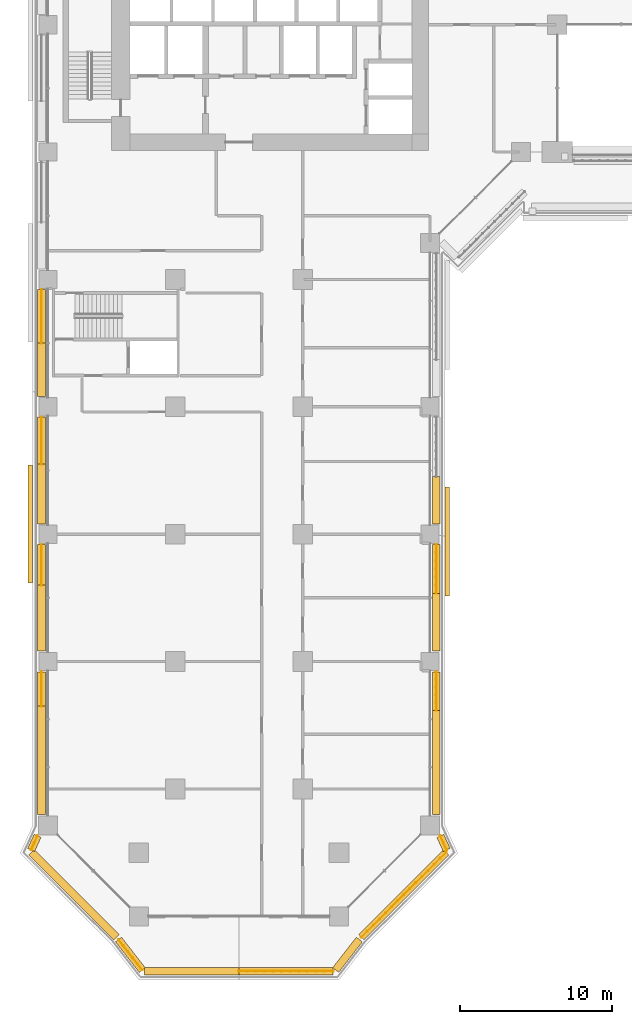
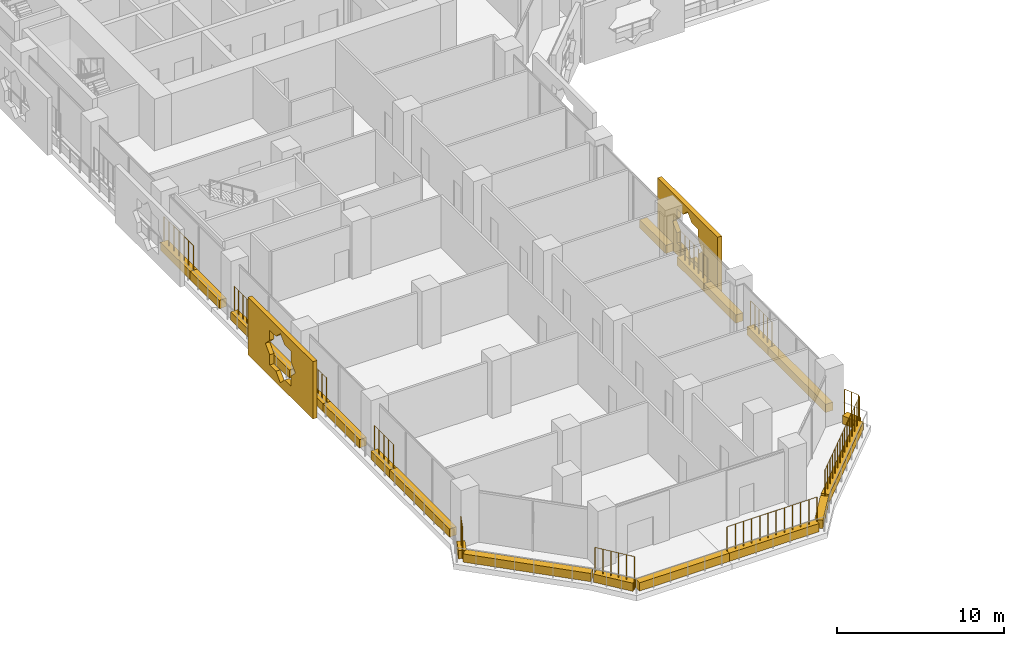
# One storey, part 19 of 28: 23 coverings, 11 railings.
"""IFC4 building model written with IfcOpenShell, lengths in metres."""

import ifcopenshell
import ifcopenshell.guid

model = None  # the IFC model being written
_history = None  # IfcOwnerHistory: only IFC2X3 demands one
_inside = {}  # id of a spatial element -> (the spatial element, [elements in it])
_under = {}  # id of a project, library or spatial element -> (it, [spatial elements below it])
_declared = {}  # id of a project -> (the project, [libraries it declares])
_typed = {}  # id of a type object -> (the type object, [elements of that type])
_made_of = {}  # id of a material, layer set ... -> (it, [elements and type objects made of it])


def new_model(schema):
    """Start an empty IFC model of exactly this schema.

    Asked for "IFC4X3", IfcOpenShell would pick the latest addendum, in which some entities
    have other attributes; the version numbers below select the first issue.
    IFC2X3 requires an IfcOwnerHistory on every rooted entity: one is made here for all.
    """
    global model, _history
    if schema == "IFC4X3":
        model = ifcopenshell.file(schema_version=(4, 3, 0, 0))
    else:
        model = ifcopenshell.file(schema=schema)
    _inside.clear()
    _under.clear()
    _declared.clear()
    _typed.clear()
    _made_of.clear()
    _history = None
    if model.schema == "IFC2X3":
        org = make("IfcOrganization", Name="unknown")
        user = make(
            "IfcPersonAndOrganization",
            ThePerson=make("IfcPerson", FamilyName="unknown"),
            TheOrganization=org,
        )
        app = make(
            "IfcApplication",
            ApplicationDeveloper=org,
            Version="unknown",
            ApplicationFullName="unknown",
            ApplicationIdentifier="unknown",
        )
        _history = make(
            "IfcOwnerHistory",
            OwningUser=user,
            OwningApplication=app,
            ChangeAction="ADDED",
            CreationDate=0,
        )
    return model


def make(cls, **values):
    """One entity of the class cls with the attributes given. An attribute that is None is left unset."""
    return model.create_entity(
        cls, **{name: value for name, value in values.items() if value is not None}
    )


def rooted(cls, **values):
    """An entity with a GlobalId (a new one), such as an element, a storey or a relation."""
    return make(cls, GlobalId=ifcopenshell.guid.new(), OwnerHistory=_history, **values)


def si_unit(unit_type, name, prefix=None):
    """IfcSIUnit, for example si_unit("LENGTHUNIT", "METRE", prefix="MILLI")."""
    return make("IfcSIUnit", UnitType=unit_type, Prefix=prefix, Name=name)


def assignment(units):
    """IfcUnitAssignment: the units of a project."""
    return None if units is None else make("IfcUnitAssignment", Units=units)


def point(xyz):
    """IfcCartesianPoint."""
    return None if xyz is None else make("IfcCartesianPoint", Coordinates=xyz)


def direction(xyz):
    """IfcDirection."""
    return None if xyz is None else make("IfcDirection", DirectionRatios=xyz)


def frame(location, z_axis=None, x_axis=None):
    """IfcAxis2Placement3D, a coordinate frame: its origin and axes. An axis left out is left unset."""
    return make(
        "IfcAxis2Placement3D",
        Location=point(location),
        Axis=direction(z_axis),
        RefDirection=direction(x_axis),
    )


def frame_2d(location, x_axis=None):
    """IfcAxis2Placement2D, a coordinate frame in the plane: its origin and x axis."""
    return make(
        "IfcAxis2Placement2D", Location=point(location), RefDirection=direction(x_axis)
    )


def origin():
    """The frame at (0, 0, 0) with its axes left unset."""
    return frame((0.0, 0.0, 0.0))


def origin_2d():
    """The frame at (0, 0) in the plane with its x axis left unset."""
    return frame_2d((0.0, 0.0))


def place(relative_to, where):
    """IfcLocalPlacement: puts the frame where relative to a parent placement (None: the world)."""
    return make(
        "IfcLocalPlacement", PlacementRelTo=relative_to, RelativePlacement=where
    )


def context(
    kind, dimensions, precision=None, world=None, true_north=None, identifier=None
):
    """IfcGeometricRepresentationContext, for example the 3D "Model" context."""
    return make(
        "IfcGeometricRepresentationContext",
        ContextIdentifier=identifier,
        ContextType=kind,
        CoordinateSpaceDimension=dimensions,
        Precision=precision,
        WorldCoordinateSystem=world,
        TrueNorth=true_north,
    )


def subcontext(parent, identifier, kind, view, scale=None):
    """IfcGeometricRepresentationSubContext, for example "Body" below "Model"."""
    return make(
        "IfcGeometricRepresentationSubContext",
        ContextIdentifier=identifier,
        ContextType=kind,
        ParentContext=parent,
        TargetScale=scale,
        TargetView=view,
    )


def project(units=None, contexts=None):
    """IfcProject with its units and contexts."""
    return rooted(
        "IfcProject",
        Name="project",
        RepresentationContexts=contexts,
        UnitsInContext=assignment(units),
    )


def spatial(cls, under=None, at=None, **own):
    """A site, building, storey or space (cls), placed at a placement, below another one or the project."""
    s = rooted(cls, ObjectPlacement=at, **own)
    if under is not None:
        _under.setdefault(under.id(), (under, []))[1].append(s)
    return s


def polyline(points):
    """IfcPolyline through the points."""
    return make("IfcPolyline", Points=[point(p) for p in points])


def profile(cls, at=None, kind="AREA", **sizes):
    """A parametric profile (cls). Its sizes go by their IFC names, for example OverallWidth=200.0."""
    return make(cls, ProfileType=kind, Position=at, **sizes)


def rectangle(**sizes):
    """IfcRectangleProfileDef."""
    return profile("IfcRectangleProfileDef", **sizes)


def circle(**sizes):
    """IfcCircleProfileDef."""
    return profile("IfcCircleProfileDef", **sizes)


def outline(outer, holes=None, kind="AREA"):
    """IfcArbitraryClosedProfileDef: a profile drawn as a closed curve; with holes, ...WithVoids."""
    if holes is None:
        return make("IfcArbitraryClosedProfileDef", ProfileType=kind, OuterCurve=outer)
    return make(
        "IfcArbitraryProfileDefWithVoids",
        ProfileType=kind,
        OuterCurve=outer,
        InnerCurves=holes,
    )


def extrude(swept, where, along, depth):
    """IfcExtrudedAreaSolid: the profile swept, set in the frame where, extruded along a direction by depth."""
    return make(
        "IfcExtrudedAreaSolid",
        SweptArea=swept,
        Position=where,
        ExtrudedDirection=direction(along),
        Depth=depth,
    )


def shape(context_of_items, identifier, shape_type, items):
    """IfcShapeRepresentation: the items that make up one representation, for example the "Body"."""
    return make(
        "IfcShapeRepresentation",
        ContextOfItems=context_of_items,
        RepresentationIdentifier=identifier,
        RepresentationType=shape_type,
        Items=items,
    )


def material(Name=None, Category=None):
    """IfcMaterial."""
    return make("IfcMaterial", Name=Name, Category=Category)


def material_profile(
    of_material, cross_section, Name=None, Category=None, Priority=None
):
    """IfcMaterialProfile: a cross section and its material."""
    return make(
        "IfcMaterialProfile",
        Name=Name,
        Material=of_material,
        Profile=cross_section,
        Priority=Priority,
        Category=Category,
    )


def profile_set(profiles, Name=None, composite=None):
    """IfcMaterialProfileSet."""
    return make(
        "IfcMaterialProfileSet",
        Name=Name,
        MaterialProfiles=profiles,
        CompositeProfile=composite,
    )


def made_of(thing, what):
    """Note that an element or type object is made of a material, layer set ...; save() writes the relation."""
    if what is not None:
        _made_of.setdefault(what.id(), (what, []))[1].append(thing)
    return thing


def type_object(cls, material=None, **own):
    """A type object (cls), such as IfcWallType, which elements share."""
    return made_of(rooted(cls, **own), material)


def element(
    cls,
    number,
    at=None,
    inside=None,
    cuts=None,
    type_object=None,
    material=None,
    context=None,
    identifier="Body",
    shape_type=None,
    held_by="IfcProductDefinitionShape",
    body=None,
    shapes=None,
    **own,
):
    """One element of the class cls, such as IfcWall. Its Tag is "e" and its number.

    at: its placement. inside: the storey or other place that contains it. cuts: it is an
    opening in that element (IfcRelVoidsElement). A single representation is given by context,
    identifier, shape_type and body (its items); several are given by shapes. held_by: the class
    of the entity that holds the representations. save() writes the other relations.
    """
    e = rooted(cls, Tag="e%d" % number, ObjectPlacement=at, **own)
    if body is not None:
        shapes = [shape(context, identifier, shape_type, body)]
    if shapes is not None:
        e.Representation = make(held_by, Representations=shapes)
    if inside is not None:
        _inside.setdefault(inside.id(), (inside, []))[1].append(e)
    if cuts is not None:
        rooted(
            "IfcRelVoidsElement", RelatingBuildingElement=cuts, RelatedOpeningElement=e
        )
    if type_object is not None:
        _typed.setdefault(type_object.id(), (type_object, []))[1].append(e)
    return made_of(e, material)


def aggregate(whole, parts):
    """IfcRelAggregates: a whole, such as a stair, and the parts it consists of."""
    return rooted("IfcRelAggregates", RelatingObject=whole, RelatedObjects=parts)


def save(model, path):
    """Write the relations noted so far, then the file.

    IfcRelAggregates (storeys below a building ...), IfcRelContainedInSpatialStructure (elements
    in a storey), IfcRelDefinesByType, IfcRelAssociatesMaterial and IfcRelDeclares: one each for
    every whole, place, type object, material and project.
    """
    for whole, parts in _under.values():
        aggregate(whole, parts)
    for where, things in _inside.values():
        rooted(
            "IfcRelContainedInSpatialStructure",
            RelatedElements=things,
            RelatingStructure=where,
        )
    for kind, things in _typed.values():
        rooted("IfcRelDefinesByType", RelatedObjects=things, RelatingType=kind)
    for what, things in _made_of.values():
        rooted("IfcRelAssociatesMaterial", RelatedObjects=things, RelatingMaterial=what)
    for by, libraries in _declared.values():
        rooted("IfcRelDeclares", RelatingContext=by, RelatedDefinitions=libraries)
    model.write(path)


model = new_model("IFC4")

# Units and contexts
model_context = context("Model", 3, precision=1e-05, world=origin(), true_north=direction((0.0, 1.0)))
body_context = subcontext(model_context, "Body", "Model", "MODEL_VIEW")
ifc_project = project(units=[si_unit("LENGTHUNIT", "METRE"), si_unit("AREAUNIT", "SQUARE_METRE"), si_unit("VOLUMEUNIT", "CUBIC_METRE"), si_unit("PLANEANGLEUNIT", "RADIAN"), si_unit("MASSUNIT", "GRAM", prefix="KILO")], contexts=[model_context])

# Site, building, storey
site_placement = place(None, origin())
site = spatial("IfcSite", under=ifc_project, at=site_placement, CompositionType="ELEMENT")
building_placement = place(site_placement, origin())
building = spatial("IfcBuilding", under=site, at=building_placement, Name="Kawkab Arch Medical Tower", CompositionType="ELEMENT")
storey_placement = place(building_placement, frame((0.0, 0.0, 47.60009765625)))
storey = spatial("IfcBuildingStorey", under=building, at=storey_placement, Name="L10", CompositionType="ELEMENT", Elevation=47.60009765625)

# Coverings
ifc_material_1 = material(Name="Bronze anodised aluminium mashrabiya panel, eight-point star pattern", Category="aluminium")
ifc_material_profile_1 = material_profile(ifc_material_1, outline(polyline([(-3.60009765625, -2.10009765625), (3.60009765625, -2.10009765625), (3.60009765625, 2.10009765625), (-3.60009765625, 2.10009765625), (-3.60009765625, -2.10009765625)]), holes=[polyline([(1.800048828125, 0.0), (1.272705078125, 0.527099609375), (1.272705078125, 1.272705078125), (0.527099609375, 1.272705078125), (0.0, 1.800048828125), (-0.527099609375, 1.272705078125), (-1.272705078125, 1.272705078125), (-1.272705078125, 0.527099609375), (-1.800048828125, 0.0), (-1.272705078125, -0.527099609375), (-1.272705078125, -1.272705078125), (-0.527099609375, -1.272705078125), (0.0, -1.800048828125), (0.527099609375, -1.272705078125), (1.272705078125, -1.272705078125), (1.272705078125, -0.527099609375), (1.800048828125, 0.0)])]), Name="Mashrabiya panel 7200x4200")
ifc_profile_set_1 = profile_set([ifc_material_profile_1], Name="Bronze anodised aluminium mashrabiya panel, eight-point star pattern")
covering_type_1 = type_object("IfcCoveringType", Name="Mashrabiya panel 7200 x 4200", PredefinedType="USERDEFINED", material=ifc_profile_set_1)
covering_1_placement = place(storey_placement, frame((26.199951171875, -50.892333984375, 1.699951171875), z_axis=(1.0, 0.0, 0.0), x_axis=(0.0, 1.0, 0.0)))
element("IfcCovering", 1, at=covering_1_placement, inside=storey, type_object=covering_type_1, Name="Mashrabiya panel L10.LOG-01-02.15", ObjectType="SCREEN", PredefinedType="USERDEFINED", context=body_context, shape_type="SweptSolid", body=[
    extrude(outline(polyline([(-3.60009765625, -2.10009765625), (3.60009765625, -2.10009765625), (3.60009765625, 2.10009765625), (-3.60009765625, 2.10009765625), (-3.60009765625, -2.10009765625)]), holes=[polyline([(1.800048828125, 0.0), (1.272705078125, 0.527099609375), (1.272705078125, 1.272705078125), (0.527099609375, 1.272705078125), (0.0, 1.800048828125), (-0.527099609375, 1.272705078125), (-1.272705078125, 1.272705078125), (-1.272705078125, 0.527099609375), (-1.800048828125, 0.0), (-1.272705078125, -0.527099609375), (-1.272705078125, -1.272705078125), (-0.527099609375, -1.272705078125), (0.0, -1.800048828125), (0.527099609375, -1.272705078125), (1.272705078125, -1.272705078125), (1.272705078125, -0.527099609375), (1.800048828125, 0.0)])]), origin(), (0.0, 0.0, 1.0), 0.300048828125),
])
ifc_material_2 = material(Name="Bronze anodised aluminium mashrabiya panel, eight-point star pattern", Category="aluminium")
ifc_material_profile_2 = material_profile(ifc_material_2, outline(polyline([(-3.89990234375, -2.10009765625), (3.89990234375, -2.10009765625), (3.89990234375, 2.10009765625), (-3.89990234375, 2.10009765625), (-3.89990234375, -2.10009765625)]), holes=[polyline([(1.800048828125, 0.0), (1.272705078125, 0.527099609375), (1.272705078125, 1.272705078125), (0.527099609375, 1.272705078125), (0.0, 1.800048828125), (-0.527099609375, 1.272705078125), (-1.272705078125, 1.272705078125), (-1.272705078125, 0.527099609375), (-1.800048828125, 0.0), (-1.272705078125, -0.527099609375), (-1.272705078125, -1.272705078125), (-0.527099609375, -1.272705078125), (0.0, -1.800048828125), (0.527099609375, -1.272705078125), (1.272705078125, -1.272705078125), (1.272705078125, -0.527099609375), (1.800048828125, 0.0)])]), Name="Mashrabiya panel 7800x4200")
ifc_profile_set_2 = profile_set([ifc_material_profile_2], Name="Bronze anodised aluminium mashrabiya panel, eight-point star pattern")
covering_type_2 = type_object("IfcCoveringType", Name="Mashrabiya panel 7800 x 4200", PredefinedType="USERDEFINED", material=ifc_profile_set_2)
covering_2_placement = place(storey_placement, frame((-1.0, -49.725830078125, 1.699951171875), z_axis=(-1.0, 0.0, 0.0), x_axis=(0.0, -1.0, 0.0)))
element("IfcCovering", 2, at=covering_2_placement, inside=storey, type_object=covering_type_2, Name="Mashrabiya panel L10.LOG-01-02.1", ObjectType="SCREEN", PredefinedType="USERDEFINED", context=body_context, shape_type="SweptSolid", body=[
    extrude(outline(polyline([(-3.89990234375, -2.10009765625), (3.89990234375, -2.10009765625), (3.89990234375, 2.10009765625), (-3.89990234375, 2.10009765625), (-3.89990234375, -2.10009765625)]), holes=[polyline([(1.800048828125, 0.0), (1.272705078125, 0.527099609375), (1.272705078125, 1.272705078125), (0.527099609375, 1.272705078125), (0.0, 1.800048828125), (-0.527099609375, 1.272705078125), (-1.272705078125, 1.272705078125), (-1.272705078125, 0.527099609375), (-1.800048828125, 0.0), (-1.272705078125, -0.527099609375), (-1.272705078125, -1.272705078125), (-0.527099609375, -1.272705078125), (0.0, -1.800048828125), (0.527099609375, -1.272705078125), (1.272705078125, -1.272705078125), (1.272705078125, -0.527099609375), (1.800048828125, 0.0)])]), origin(), (0.0, 0.0, 1.0), 0.300048828125),
])
ifc_material_3 = material(Name="Planting soil in a precast trough", Category="concrete")
ifc_material_profile_3 = material_profile(ifc_material_3, rectangle(XDim=0.5, YDim=0.60009765625, at=origin_2d()), Name="Trough 500x600")
ifc_profile_set_3 = profile_set([ifc_material_profile_3], Name="Planting soil in a precast trough")
covering_type_3 = type_object("IfcCoveringType", Name="Planter trough 500 x 600", PredefinedType="USERDEFINED", material=ifc_profile_set_3)
covering_3_placement = place(storey_placement, frame((26.27294921875, -71.383056640625, 0.2998046875), z_axis=(-0.707106781187, -0.707106781187, 0.0), x_axis=(0.707106781187, -0.707106781187, 0.0)))
element("IfcCovering", 3, at=covering_3_placement, inside=storey, type_object=covering_type_3, Name="Planter L10.LOG-01-02.1", ObjectType="PLANTER", PredefinedType="USERDEFINED", context=body_context, shape_type="SweptSolid", body=[
    extrude(rectangle(XDim=0.5, YDim=0.60009765625, at=origin_2d()), origin(), (0.0, 0.0, 1.0), 7.91943359375),
])
covering_4_placement = place(storey_placement, frame((20.541015625, -77.132080078125, 0.2998046875), z_axis=(-0.61404021143, -0.789274742246, 0.0), x_axis=(0.789274742246, -0.61404021143, 0.0)))
element("IfcCovering", 4, at=covering_4_placement, inside=storey, type_object=covering_type_3, Name="Planter L10.LOG-01-02.2", ObjectType="PLANTER", PredefinedType="USERDEFINED", context=body_context, shape_type="SweptSolid", body=[
    extrude(rectangle(XDim=0.5, YDim=0.60009765625, at=origin_2d()), origin(), (0.0, 0.0, 1.0), 2.54541015625),
])
covering_5_placement = place(storey_placement, frame((18.81591796875, -79.219970703125, 0.2998046875), z_axis=(-1.0, 0.0, 0.0), x_axis=(0.0, -1.0, 0.0)))
element("IfcCovering", 5, at=covering_5_placement, inside=storey, type_object=covering_type_3, Name="Planter L10.LOG-01-02.3", ObjectType="PLANTER", PredefinedType="USERDEFINED", context=body_context, shape_type="SweptSolid", body=[
    extrude(rectangle(XDim=0.5, YDim=0.60009765625, at=origin_2d()), origin(), (0.0, 0.0, 1.0), 6.2158203125),
])
covering_6_placement = place(storey_placement, frame((12.60009765625, -79.219970703125, 0.2998046875), z_axis=(-1.0, 0.0, 0.0), x_axis=(0.0, -1.0, 0.0)))
element("IfcCovering", 6, at=covering_6_placement, inside=storey, type_object=covering_type_3, Name="Planter L10.LOG-01-02.4", ObjectType="PLANTER", PredefinedType="USERDEFINED", context=body_context, shape_type="SweptSolid", body=[
    extrude(rectangle(XDim=0.5, YDim=0.60009765625, at=origin_2d()), origin(), (0.0, 0.0, 1.0), 6.216064453125),
])
covering_7_placement = place(storey_placement, frame((6.221923828125, -79.14111328125, 0.2998046875), z_axis=(-0.61404021143, 0.789274742246, 0.0), x_axis=(-0.789274742246, -0.61404021143, 0.0)))
element("IfcCovering", 7, at=covering_7_placement, inside=storey, type_object=covering_type_3, Name="Planter L10.LOG-01-02.5", ObjectType="PLANTER", PredefinedType="USERDEFINED", context=body_context, shape_type="SweptSolid", body=[
    extrude(rectangle(XDim=0.5, YDim=0.60009765625, at=origin_2d()), origin(), (0.0, 0.0, 1.0), 2.54541015625),
])
covering_8_placement = place(storey_placement, frame((4.527099609375, -76.98291015625, 0.2998046875), z_axis=(-0.70712219479, 0.707091367247, 0.0), x_axis=(-0.707091367247, -0.70712219479, 0.0)))
element("IfcCovering", 8, at=covering_8_placement, inside=storey, type_object=covering_type_3, Name="Planter L10.LOG-01-02.6", ObjectType="PLANTER", PredefinedType="USERDEFINED", context=body_context, shape_type="SweptSolid", body=[
    extrude(rectangle(XDim=0.5, YDim=0.60009765625, at=origin_2d()), origin(), (0.0, 0.0, 1.0), 7.919677734375),
])
covering_9_placement = place(storey_placement, frame((-1.10205078125, -71.220947265625, 0.2998046875), z_axis=(0.415162454874, 0.909747292419, 0.0), x_axis=(-0.909747292419, 0.415162454874, 0.0)))
element("IfcCovering", 9, at=covering_9_placement, inside=storey, type_object=covering_type_3, Name="Planter L10.LOG-01-02.7", ObjectType="PLANTER", PredefinedType="USERDEFINED", context=body_context, shape_type="SweptSolid", body=[
    extrude(rectangle(XDim=0.5, YDim=0.60009765625, at=origin_2d()), origin(), (0.0, 0.0, 1.0), 1.014404296875),
])
covering_10_placement = place(storey_placement, frame((-0.419921875, -68.89501953125, 0.2998046875), z_axis=(0.0, 1.0, 0.0), x_axis=(-1.0, 0.0, 0.0)))
element("IfcCovering", 10, at=covering_10_placement, inside=storey, type_object=covering_type_3, Name="Planter L10.LOG-01-02.8", ObjectType="PLANTER", PredefinedType="USERDEFINED", context=body_context, shape_type="SweptSolid", body=[
    extrude(rectangle(XDim=0.5, YDim=0.60009765625, at=origin_2d()), origin(), (0.0, 0.0, 1.0), 7.151123046875),
])
covering_11_placement = place(storey_placement, frame((-0.419921875, -61.743896484375, 0.2998046875), z_axis=(0.0, 1.0, 0.0), x_axis=(-1.0, 0.0, 0.0)))
element("IfcCovering", 11, at=covering_11_placement, inside=storey, type_object=covering_type_3, Name="Planter L10.LOG-01-02.9", ObjectType="PLANTER", PredefinedType="USERDEFINED", context=body_context, shape_type="SweptSolid", body=[
    extrude(rectangle(XDim=0.5, YDim=0.60009765625, at=origin_2d()), origin(), (0.0, 0.0, 1.0), 2.263916015625),
])
covering_12_placement = place(storey_placement, frame((-0.419921875, -58.1201171875, 0.2998046875), z_axis=(0.0, 1.0, 0.0), x_axis=(-1.0, 0.0, 0.0)))
element("IfcCovering", 12, at=covering_12_placement, inside=storey, type_object=covering_type_3, Name="Planter L10.LOG-01-02.10", ObjectType="PLANTER", PredefinedType="USERDEFINED", context=body_context, shape_type="SweptSolid", body=[
    extrude(rectangle(XDim=0.5, YDim=0.60009765625, at=origin_2d()), origin(), (0.0, 0.0, 1.0), 4.357177734375),
])
covering_13_placement = place(storey_placement, frame((-0.419921875, -53.762939453125, 0.2998046875), z_axis=(0.0, 1.0, 0.0), x_axis=(-1.0, 0.0, 0.0)))
element("IfcCovering", 13, at=covering_13_placement, inside=storey, type_object=covering_type_3, Name="Planter L10.LOG-01-02.11", ObjectType="PLANTER", PredefinedType="USERDEFINED", context=body_context, shape_type="SweptSolid", body=[
    extrude(rectangle(XDim=0.5, YDim=0.60009765625, at=origin_2d()), origin(), (0.0, 0.0, 1.0), 2.682861328125),
])
covering_14_placement = place(storey_placement, frame((-0.419921875, -49.719970703125, 0.2998046875), z_axis=(0.0, 1.0, 0.0), x_axis=(-1.0, 0.0, 0.0)))
element("IfcCovering", 14, at=covering_14_placement, inside=storey, type_object=covering_type_3, Name="Planter L10.LOG-01-02.12", ObjectType="PLANTER", PredefinedType="USERDEFINED", context=body_context, shape_type="SweptSolid", body=[
    extrude(rectangle(XDim=0.5, YDim=0.60009765625, at=origin_2d()), origin(), (0.0, 0.0, 1.0), 3.93896484375),
])
covering_15_placement = place(storey_placement, frame((-0.419921875, -45.781005859375, 0.2998046875), z_axis=(0.0, 1.0, 0.0), x_axis=(-1.0, 0.0, 0.0)))
element("IfcCovering", 15, at=covering_15_placement, inside=storey, type_object=covering_type_3, Name="Planter L10.LOG-01-02.13", ObjectType="PLANTER", PredefinedType="USERDEFINED", context=body_context, shape_type="SweptSolid", body=[
    extrude(rectangle(XDim=0.5, YDim=0.60009765625, at=origin_2d()), origin(), (0.0, 0.0, 1.0), 3.10107421875),
])
for number, where, z_axis, x_axis, name in (
    (16, (-0.419921875, -41.320068359375, 0.2998046875), (0.0, 1.0, 0.0), (-1.0, 0.0, 0.0), "Planter L10.LOG-01-02.14"),
    (17, (-0.419921875, -37.800048828125, 0.2998046875), (0.0, 1.0, 0.0), (-1.0, 0.0, 0.0), "Planter L10.LOG-01-02.15"),
):
    element("IfcCovering", number, at=place(storey_placement, frame(where, z_axis=z_axis, x_axis=x_axis)), inside=storey, type_object=covering_type_3, Name=name, ObjectType="PLANTER", PredefinedType="USERDEFINED", context=body_context, shape_type="SweptSolid", body=[
        extrude(rectangle(XDim=0.5, YDim=0.60009765625, at=origin_2d()), origin(), (0.0, 0.0, 1.0), 3.52001953125),
    ])
covering_16_placement = place(storey_placement, frame((25.6201171875, -46.60107421875, 0.2998046875), z_axis=(0.0, -1.0, 0.0), x_axis=(1.0, 0.0, 0.0)))
element("IfcCovering", 18, at=covering_16_placement, inside=storey, type_object=covering_type_3, Name="Planter L10.LOG-01-02.52", ObjectType="PLANTER", PredefinedType="USERDEFINED", context=body_context, shape_type="SweptSolid", body=[
    extrude(rectangle(XDim=0.5, YDim=0.60009765625, at=origin_2d()), origin(), (0.0, 0.0, 1.0), 3.118896484375),
])
covering_17_placement = place(storey_placement, frame((25.6201171875, -51.080078125, 0.2998046875), z_axis=(0.0, -1.0, 0.0), x_axis=(1.0, 0.0, 0.0)))
element("IfcCovering", 19, at=covering_17_placement, inside=storey, type_object=covering_type_3, Name="Planter L10.LOG-01-02.53", ObjectType="PLANTER", PredefinedType="USERDEFINED", context=body_context, shape_type="SweptSolid", body=[
    extrude(rectangle(XDim=0.5, YDim=0.60009765625, at=origin_2d()), origin(), (0.0, 0.0, 1.0), 3.22900390625),
])
covering_18_placement = place(storey_placement, frame((25.6201171875, -54.30908203125, 0.2998046875), z_axis=(0.0, -1.0, 0.0), x_axis=(1.0, 0.0, 0.0)))
element("IfcCovering", 20, at=covering_18_placement, inside=storey, type_object=covering_type_3, Name="Planter L10.LOG-01-02.54", ObjectType="PLANTER", PredefinedType="USERDEFINED", context=body_context, shape_type="SweptSolid", body=[
    extrude(rectangle(XDim=0.5, YDim=0.60009765625, at=origin_2d()), origin(), (0.0, 0.0, 1.0), 3.81103515625),
])
covering_19_placement = place(storey_placement, frame((25.6201171875, -59.47998046875, 0.2998046875), z_axis=(0.0, -1.0, 0.0), x_axis=(1.0, 0.0, 0.0)))
element("IfcCovering", 21, at=covering_19_placement, inside=storey, type_object=covering_type_3, Name="Planter L10.LOG-01-02.55", ObjectType="PLANTER", PredefinedType="USERDEFINED", context=body_context, shape_type="SweptSolid", body=[
    extrude(rectangle(XDim=0.5, YDim=0.60009765625, at=origin_2d()), origin(), (0.0, 0.0, 1.0), 2.5380859375),
])
covering_20_placement = place(storey_placement, frame((25.6201171875, -62.01806640625, 0.2998046875), z_axis=(0.0, -1.0, 0.0), x_axis=(1.0, 0.0, 0.0)))
element("IfcCovering", 22, at=covering_20_placement, inside=storey, type_object=covering_type_3, Name="Planter L10.LOG-01-02.56", ObjectType="PLANTER", PredefinedType="USERDEFINED", context=body_context, shape_type="SweptSolid", body=[
    extrude(rectangle(XDim=0.5, YDim=0.60009765625, at=origin_2d()), origin(), (0.0, 0.0, 1.0), 6.876953125),
])
covering_21_placement = place(storey_placement, frame((25.881103515625, -70.298095703125, 0.2998046875), z_axis=(0.414963233652, -0.909838180512, 0.0), x_axis=(0.909838180512, 0.414963233652, 0.0)))
element("IfcCovering", 23, at=covering_21_placement, inside=storey, type_object=covering_type_3, Name="Planter L10.LOG-01-02.57", ObjectType="PLANTER", PredefinedType="USERDEFINED", context=body_context, shape_type="SweptSolid", body=[
    extrude(rectangle(XDim=0.5, YDim=0.60009765625, at=origin_2d()), origin(), (0.0, 0.0, 1.0), 1.014404296875),
])

# Railings
ifc_material_4 = material(Name="Bronze anodised aluminium trellis for climbing plants", Category="aluminium")
railing_type = type_object("IfcRailingType", Name="Planting trellis 2400", PredefinedType="USERDEFINED", material=ifc_material_4)
railing_1_placement = place(storey_placement, frame((26.27294921875, -71.383056640625, 0.0)))
element("IfcRailing", 24, at=railing_1_placement, inside=storey, type_object=railing_type, Name="Planting trellis L10.LOG-01-02.1", ObjectType="TRELLIS", PredefinedType="USERDEFINED", context=body_context, shape_type="SweptSolid", body=[
    extrude(circle(Radius=0.01513671875, at=origin_2d()), frame((0.0, 0.0, 2.384765625), z_axis=(-0.707106781187, -0.707106781187, 0.0), x_axis=(0.707106781187, -0.707106781187, 0.0)), (0.0, 0.0, 1.0), 7.91943359375),
    extrude(circle(Radius=0.030029296875, at=origin_2d()), origin(), (0.0, 0.0, 1.0), 2.369873046875),
    extrude(circle(Radius=0.030029296875, at=origin_2d()), frame((-0.39990234375, -0.39990234375, 0.0)), (0.0, 0.0, 1.0), 2.369873046875),
    extrude(circle(Radius=0.030029296875, at=origin_2d()), frame((-0.800048828125, -0.800048828125, 0.0)), (0.0, 0.0, 1.0), 2.369873046875),
    extrude(circle(Radius=0.030029296875, at=origin_2d()), frame((-1.199951171875, -1.199951171875, 0.0)), (0.0, 0.0, 1.0), 2.369873046875),
    extrude(circle(Radius=0.030029296875, at=origin_2d()), frame((-1.599853515625, -1.599853515625, 0.0)), (0.0, 0.0, 1.0), 2.369873046875),
    extrude(circle(Radius=0.030029296875, at=origin_2d()), frame((-2.0, -2.0, 0.0)), (0.0, 0.0, 1.0), 2.369873046875),
    extrude(circle(Radius=0.030029296875, at=origin_2d()), frame((-2.39990234375, -2.39990234375, 0.0)), (0.0, 0.0, 1.0), 2.369873046875),
    extrude(circle(Radius=0.030029296875, at=origin_2d()), frame((-2.7998046875, -2.7998046875, 0.0)), (0.0, 0.0, 1.0), 2.369873046875),
    extrude(circle(Radius=0.030029296875, at=origin_2d()), frame((-3.199951171875, -3.199951171875, 0.0)), (0.0, 0.0, 1.0), 2.369873046875),
    extrude(circle(Radius=0.030029296875, at=origin_2d()), frame((-3.599853515625, -3.599853515625, 0.0)), (0.0, 0.0, 1.0), 2.369873046875),
    extrude(circle(Radius=0.030029296875, at=origin_2d()), frame((-4.0, -4.0, 0.0)), (0.0, 0.0, 1.0), 2.369873046875),
    extrude(circle(Radius=0.030029296875, at=origin_2d()), frame((-4.39990234375, -4.39990234375, 0.0)), (0.0, 0.0, 1.0), 2.369873046875),
    extrude(circle(Radius=0.030029296875, at=origin_2d()), frame((-4.7998046875, -4.7998046875, 0.0)), (0.0, 0.0, 1.0), 2.369873046875),
    extrude(circle(Radius=0.030029296875, at=origin_2d()), frame((-5.199951171875, -5.199951171875, 0.0)), (0.0, 0.0, 1.0), 2.369873046875),
    extrude(circle(Radius=0.030029296875, at=origin_2d()), frame((-5.599853515625, -5.599853515625, 0.0)), (0.0, 0.0, 1.0), 2.369873046875),
])
railing_2_placement = place(storey_placement, frame((18.81591796875, -79.219970703125, 0.0)))
element("IfcRailing", 25, at=railing_2_placement, inside=storey, type_object=railing_type, Name="Planting trellis L10.LOG-01-02.3", ObjectType="TRELLIS", PredefinedType="USERDEFINED", context=body_context, shape_type="SweptSolid", body=[
    extrude(circle(Radius=0.01513671875, at=origin_2d()), frame((0.0, 0.0, 2.384765625), z_axis=(-1.0, 0.0, 0.0), x_axis=(0.0, -1.0, 0.0)), (0.0, 0.0, 1.0), 6.2158203125),
    extrude(circle(Radius=0.030029296875, at=origin_2d()), origin(), (0.0, 0.0, 1.0), 2.369873046875),
    extrude(circle(Radius=0.030029296875, at=origin_2d()), frame((-0.565185546875, 0.0, 0.0)), (0.0, 0.0, 1.0), 2.369873046875),
    extrude(circle(Radius=0.030029296875, at=origin_2d()), frame((-1.130126953125, 0.0, 0.0)), (0.0, 0.0, 1.0), 2.369873046875),
    extrude(circle(Radius=0.030029296875, at=origin_2d()), frame((-1.6953125, 0.0, 0.0)), (0.0, 0.0, 1.0), 2.369873046875),
    extrude(circle(Radius=0.030029296875, at=origin_2d()), frame((-2.26025390625, 0.0, 0.0)), (0.0, 0.0, 1.0), 2.369873046875),
    extrude(circle(Radius=0.030029296875, at=origin_2d()), frame((-2.825439453125, 0.0, 0.0)), (0.0, 0.0, 1.0), 2.369873046875),
    extrude(circle(Radius=0.030029296875, at=origin_2d()), frame((-3.390380859375, 0.0, 0.0)), (0.0, 0.0, 1.0), 2.369873046875),
    extrude(circle(Radius=0.030029296875, at=origin_2d()), frame((-3.95556640625, 0.0, 0.0)), (0.0, 0.0, 1.0), 2.369873046875),
    extrude(circle(Radius=0.030029296875, at=origin_2d()), frame((-4.5205078125, 0.0, 0.0)), (0.0, 0.0, 1.0), 2.369873046875),
    extrude(circle(Radius=0.030029296875, at=origin_2d()), frame((-5.085693359375, 0.0, 0.0)), (0.0, 0.0, 1.0), 2.369873046875),
    extrude(circle(Radius=0.030029296875, at=origin_2d()), frame((-5.650634765625, 0.0, 0.0)), (0.0, 0.0, 1.0), 2.369873046875),
    extrude(circle(Radius=0.030029296875, at=origin_2d()), frame((-6.2158203125, 0.0, 0.0)), (0.0, 0.0, 1.0), 2.369873046875),
])
railing_3_placement = place(storey_placement, frame((6.221923828125, -79.14111328125, 0.0)))
element("IfcRailing", 26, at=railing_3_placement, inside=storey, type_object=railing_type, Name="Planting trellis L10.LOG-01-02.5", ObjectType="TRELLIS", PredefinedType="USERDEFINED", context=body_context, shape_type="SweptSolid", body=[
    extrude(circle(Radius=0.01513671875, at=origin_2d()), frame((0.0, 0.0, 2.384765625), z_axis=(-0.61404021143, 0.789274742246, 0.0), x_axis=(-0.789274742246, -0.61404021143, 0.0)), (0.0, 0.0, 1.0), 2.54541015625),
    extrude(circle(Radius=0.030029296875, at=origin_2d()), origin(), (0.0, 0.0, 1.0), 2.369873046875),
    extrude(circle(Radius=0.030029296875, at=origin_2d()), frame((-0.3125, 0.40185546875, 0.0)), (0.0, 0.0, 1.0), 2.369873046875),
    extrude(circle(Radius=0.030029296875, at=origin_2d()), frame((-0.625244140625, 0.8037109375, 0.0)), (0.0, 0.0, 1.0), 2.369873046875),
    extrude(circle(Radius=0.030029296875, at=origin_2d()), frame((-0.937744140625, 1.205322265625, 0.0)), (0.0, 0.0, 1.0), 2.369873046875),
    extrude(circle(Radius=0.030029296875, at=origin_2d()), frame((-1.25048828125, 1.607177734375, 0.0)), (0.0, 0.0, 1.0), 2.369873046875),
    extrude(circle(Radius=0.030029296875, at=origin_2d()), frame((-1.56298828125, 2.009033203125, 0.0)), (0.0, 0.0, 1.0), 2.369873046875),
])
railing_4_placement = place(storey_placement, frame((-1.10205078125, -71.220947265625, 0.0)))
element("IfcRailing", 27, at=railing_4_placement, inside=storey, type_object=railing_type, Name="Planting trellis L10.LOG-01-02.7", ObjectType="TRELLIS", PredefinedType="USERDEFINED", context=body_context, shape_type="SweptSolid", body=[
    extrude(circle(Radius=0.01513671875, at=origin_2d()), frame((0.0, 0.0, 2.384765625), z_axis=(0.415162454874, 0.909747292419, 0.0), x_axis=(-0.909747292419, 0.415162454874, 0.0)), (0.0, 0.0, 1.0), 1.014404296875),
    extrude(circle(Radius=0.030029296875, at=origin_2d()), origin(), (0.0, 0.0, 1.0), 2.369873046875),
    extrude(circle(Radius=0.030029296875, at=origin_2d()), frame((0.21044921875, 0.46142578125, 0.0)), (0.0, 0.0, 1.0), 2.369873046875),
    extrude(circle(Radius=0.030029296875, at=origin_2d()), frame((0.421142578125, 0.9228515625, 0.0)), (0.0, 0.0, 1.0), 2.369873046875),
])
railing_5_placement = place(storey_placement, frame((-0.419921875, -61.743896484375, 0.0)))
element("IfcRailing", 28, at=railing_5_placement, inside=storey, type_object=railing_type, Name="Planting trellis L10.LOG-01-02.9", ObjectType="TRELLIS", PredefinedType="USERDEFINED", context=body_context, shape_type="SweptSolid", body=[
    extrude(circle(Radius=0.01513671875, at=origin_2d()), frame((0.0, 0.0, 2.384765625), z_axis=(0.0, 1.0, 0.0), x_axis=(-1.0, 0.0, 0.0)), (0.0, 0.0, 1.0), 2.263916015625),
    extrude(circle(Radius=0.030029296875, at=origin_2d()), origin(), (0.0, 0.0, 1.0), 2.369873046875),
    extrude(circle(Radius=0.030029296875, at=origin_2d()), frame((0.0, 0.56591796875, 0.0)), (0.0, 0.0, 1.0), 2.369873046875),
    extrude(circle(Radius=0.030029296875, at=origin_2d()), frame((0.0, 1.1318359375, 0.0)), (0.0, 0.0, 1.0), 2.369873046875),
    extrude(circle(Radius=0.030029296875, at=origin_2d()), frame((0.0, 1.697998046875, 0.0)), (0.0, 0.0, 1.0), 2.369873046875),
    extrude(circle(Radius=0.030029296875, at=origin_2d()), frame((0.0, 2.263916015625, 0.0)), (0.0, 0.0, 1.0), 2.369873046875),
])
railing_6_placement = place(storey_placement, frame((-0.419921875, -53.762939453125, 0.0)))
element("IfcRailing", 29, at=railing_6_placement, inside=storey, type_object=railing_type, Name="Planting trellis L10.LOG-01-02.11", ObjectType="TRELLIS", PredefinedType="USERDEFINED", context=body_context, shape_type="SweptSolid", body=[
    extrude(circle(Radius=0.01513671875, at=origin_2d()), frame((0.0, 0.0, 2.384765625), z_axis=(0.0, 1.0, 0.0), x_axis=(-1.0, 0.0, 0.0)), (0.0, 0.0, 1.0), 2.682861328125),
    extrude(circle(Radius=0.030029296875, at=origin_2d()), origin(), (0.0, 0.0, 1.0), 2.369873046875),
    extrude(circle(Radius=0.030029296875, at=origin_2d()), frame((0.0, 0.53662109375, 0.0)), (0.0, 0.0, 1.0), 2.369873046875),
    extrude(circle(Radius=0.030029296875, at=origin_2d()), frame((0.0, 1.0732421875, 0.0)), (0.0, 0.0, 1.0), 2.369873046875),
    extrude(circle(Radius=0.030029296875, at=origin_2d()), frame((0.0, 1.609619140625, 0.0)), (0.0, 0.0, 1.0), 2.369873046875),
    extrude(circle(Radius=0.030029296875, at=origin_2d()), frame((0.0, 2.146240234375, 0.0)), (0.0, 0.0, 1.0), 2.369873046875),
    extrude(circle(Radius=0.030029296875, at=origin_2d()), frame((0.0, 2.682861328125, 0.0)), (0.0, 0.0, 1.0), 2.369873046875),
])
railing_7_placement = place(storey_placement, frame((-0.419921875, -45.781005859375, 0.0)))
element("IfcRailing", 30, at=railing_7_placement, inside=storey, type_object=railing_type, Name="Planting trellis L10.LOG-01-02.13", ObjectType="TRELLIS", PredefinedType="USERDEFINED", context=body_context, shape_type="SweptSolid", body=[
    extrude(circle(Radius=0.01513671875, at=origin_2d()), frame((0.0, 0.0, 2.384765625), z_axis=(0.0, 1.0, 0.0), x_axis=(-1.0, 0.0, 0.0)), (0.0, 0.0, 1.0), 3.10107421875),
    extrude(circle(Radius=0.030029296875, at=origin_2d()), origin(), (0.0, 0.0, 1.0), 2.369873046875),
    extrude(circle(Radius=0.030029296875, at=origin_2d()), frame((0.0, 0.516845703125, 0.0)), (0.0, 0.0, 1.0), 2.369873046875),
    extrude(circle(Radius=0.030029296875, at=origin_2d()), frame((0.0, 1.03369140625, 0.0)), (0.0, 0.0, 1.0), 2.369873046875),
    extrude(circle(Radius=0.030029296875, at=origin_2d()), frame((0.0, 1.550537109375, 0.0)), (0.0, 0.0, 1.0), 2.369873046875),
    extrude(circle(Radius=0.030029296875, at=origin_2d()), frame((0.0, 2.0673828125, 0.0)), (0.0, 0.0, 1.0), 2.369873046875),
    extrude(circle(Radius=0.030029296875, at=origin_2d()), frame((0.0, 2.584228515625, 0.0)), (0.0, 0.0, 1.0), 2.369873046875),
    extrude(circle(Radius=0.030029296875, at=origin_2d()), frame((0.0, 3.10107421875, 0.0)), (0.0, 0.0, 1.0), 2.369873046875),
])
railing_8_placement = place(storey_placement, frame((-0.419921875, -37.800048828125, 0.0)))
element("IfcRailing", 31, at=railing_8_placement, inside=storey, type_object=railing_type, Name="Planting trellis L10.LOG-01-02.15", ObjectType="TRELLIS", PredefinedType="USERDEFINED", context=body_context, shape_type="SweptSolid", body=[
    extrude(circle(Radius=0.01513671875, at=origin_2d()), frame((0.0, 0.0, 2.384765625), z_axis=(0.0, 1.0, 0.0), x_axis=(-1.0, 0.0, 0.0)), (0.0, 0.0, 1.0), 3.52001953125),
    extrude(circle(Radius=0.030029296875, at=origin_2d()), origin(), (0.0, 0.0, 1.0), 2.369873046875),
    extrude(circle(Radius=0.030029296875, at=origin_2d()), frame((0.0, 0.586669921875, 0.0)), (0.0, 0.0, 1.0), 2.369873046875),
    extrude(circle(Radius=0.030029296875, at=origin_2d()), frame((0.0, 1.17333984375, 0.0)), (0.0, 0.0, 1.0), 2.369873046875),
    extrude(circle(Radius=0.030029296875, at=origin_2d()), frame((0.0, 1.760009765625, 0.0)), (0.0, 0.0, 1.0), 2.369873046875),
    extrude(circle(Radius=0.030029296875, at=origin_2d()), frame((0.0, 2.3466796875, 0.0)), (0.0, 0.0, 1.0), 2.369873046875),
    extrude(circle(Radius=0.030029296875, at=origin_2d()), frame((0.0, 2.933349609375, 0.0)), (0.0, 0.0, 1.0), 2.369873046875),
    extrude(circle(Radius=0.030029296875, at=origin_2d()), frame((0.0, 3.52001953125, 0.0)), (0.0, 0.0, 1.0), 2.369873046875),
])
railing_9_placement = place(storey_placement, frame((25.6201171875, -51.080078125, 0.0)))
element("IfcRailing", 32, at=railing_9_placement, inside=storey, type_object=railing_type, Name="Planting trellis L10.LOG-01-02.53", ObjectType="TRELLIS", PredefinedType="USERDEFINED", context=body_context, shape_type="SweptSolid", body=[
    extrude(circle(Radius=0.01513671875, at=origin_2d()), frame((0.0, 0.0, 2.384765625), z_axis=(0.0, -1.0, 0.0), x_axis=(1.0, 0.0, 0.0)), (0.0, 0.0, 1.0), 3.22900390625),
    extrude(circle(Radius=0.030029296875, at=origin_2d()), origin(), (0.0, 0.0, 1.0), 2.369873046875),
    extrude(circle(Radius=0.030029296875, at=origin_2d()), frame((0.0, -0.5380859375, 0.0)), (0.0, 0.0, 1.0), 2.369873046875),
    extrude(circle(Radius=0.030029296875, at=origin_2d()), frame((0.0, -1.076416015625, 0.0)), (0.0, 0.0, 1.0), 2.369873046875),
    extrude(circle(Radius=0.030029296875, at=origin_2d()), frame((0.0, -1.614501953125, 0.0)), (0.0, 0.0, 1.0), 2.369873046875),
    extrude(circle(Radius=0.030029296875, at=origin_2d()), frame((0.0, -2.152587890625, 0.0)), (0.0, 0.0, 1.0), 2.369873046875),
    extrude(circle(Radius=0.030029296875, at=origin_2d()), frame((0.0, -2.69091796875, 0.0)), (0.0, 0.0, 1.0), 2.369873046875),
    extrude(circle(Radius=0.030029296875, at=origin_2d()), frame((0.0, -3.22900390625, 0.0)), (0.0, 0.0, 1.0), 2.369873046875),
])
railing_10_placement = place(storey_placement, frame((25.6201171875, -59.47998046875, 0.0)))
element("IfcRailing", 33, at=railing_10_placement, inside=storey, type_object=railing_type, Name="Planting trellis L10.LOG-01-02.55", ObjectType="TRELLIS", PredefinedType="USERDEFINED", context=body_context, shape_type="SweptSolid", body=[
    extrude(circle(Radius=0.01513671875, at=origin_2d()), frame((0.0, 0.0, 2.384765625), z_axis=(0.0, -1.0, 0.0), x_axis=(1.0, 0.0, 0.0)), (0.0, 0.0, 1.0), 2.5380859375),
    extrude(circle(Radius=0.030029296875, at=origin_2d()), origin(), (0.0, 0.0, 1.0), 2.369873046875),
    extrude(circle(Radius=0.030029296875, at=origin_2d()), frame((0.0, -0.507568359375, 0.0)), (0.0, 0.0, 1.0), 2.369873046875),
    extrude(circle(Radius=0.030029296875, at=origin_2d()), frame((0.0, -1.01513671875, 0.0)), (0.0, 0.0, 1.0), 2.369873046875),
    extrude(circle(Radius=0.030029296875, at=origin_2d()), frame((0.0, -1.52294921875, 0.0)), (0.0, 0.0, 1.0), 2.369873046875),
    extrude(circle(Radius=0.030029296875, at=origin_2d()), frame((0.0, -2.030517578125, 0.0)), (0.0, 0.0, 1.0), 2.369873046875),
    extrude(circle(Radius=0.030029296875, at=origin_2d()), frame((0.0, -2.5380859375, 0.0)), (0.0, 0.0, 1.0), 2.369873046875),
])
railing_11_placement = place(storey_placement, frame((25.881103515625, -70.298095703125, 0.0)))
element("IfcRailing", 34, at=railing_11_placement, inside=storey, type_object=railing_type, Name="Planting trellis L10.LOG-01-02.57", ObjectType="TRELLIS", PredefinedType="USERDEFINED", context=body_context, shape_type="SweptSolid", body=[
    extrude(circle(Radius=0.01513671875, at=origin_2d()), frame((0.0, 0.0, 2.384765625), z_axis=(0.414963233652, -0.909838180512, 0.0), x_axis=(0.909838180512, 0.414963233652, 0.0)), (0.0, 0.0, 1.0), 1.014404296875),
    extrude(circle(Radius=0.030029296875, at=origin_2d()), origin(), (0.0, 0.0, 1.0), 2.369873046875),
    extrude(circle(Radius=0.030029296875, at=origin_2d()), frame((0.21044921875, -0.46142578125, 0.0)), (0.0, 0.0, 1.0), 2.369873046875),
    extrude(circle(Radius=0.030029296875, at=origin_2d()), frame((0.4208984375, -0.9228515625, 0.0)), (0.0, 0.0, 1.0), 2.369873046875),
])

save(model, "model.ifc")
